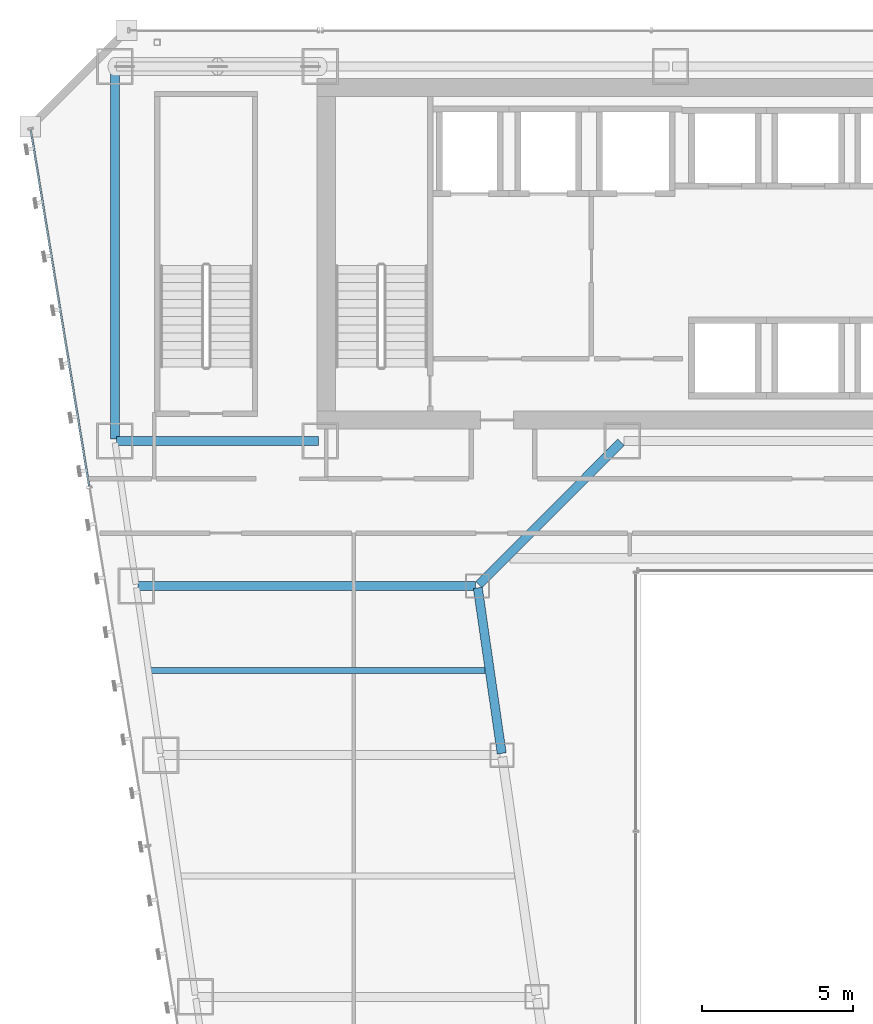
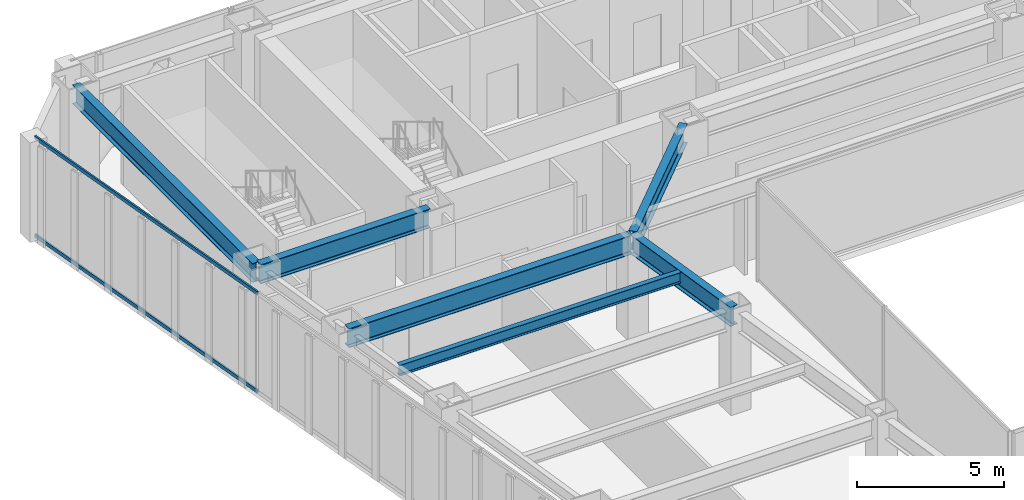
# One storey, part 23 of 47: 6 beams, 2 members, 1 element without a shape of its own.
"""IFC4 building model written with IfcOpenShell, lengths in metres."""

from ifc_helpers import new_model, si_unit, direction, frame, origin, origin_2d, place, context, subcontext, project, spatial, hollow_rectangle, i_section, extrude, material, material_profile, profile_set, type_object, element, aggregate, save


model = new_model("IFC4")

# Units and contexts
model_context = context("Model", 3, precision=1e-05, world=origin(), true_north=direction((0.0, 1.0)))
body_context = subcontext(model_context, "Body", "Model", "MODEL_VIEW")
ifc_project = project(units=[si_unit("LENGTHUNIT", "METRE"), si_unit("AREAUNIT", "SQUARE_METRE"), si_unit("VOLUMEUNIT", "CUBIC_METRE"), si_unit("PLANEANGLEUNIT", "RADIAN"), si_unit("MASSUNIT", "GRAM", prefix="KILO")], contexts=[model_context])

# Site, building, storey
site_placement = place(None, origin())
site = spatial("IfcSite", under=ifc_project, at=site_placement, CompositionType="ELEMENT")
building_placement = place(site_placement, origin())
building = spatial("IfcBuilding", under=site, at=building_placement, Name="Saevonmaru Cultural Tower", CompositionType="ELEMENT")
storey_placement = place(building_placement, frame((0.0, 0.0, 56.0)))
storey = spatial("IfcBuildingStorey", under=building, at=storey_placement, Name="L11", CompositionType="ELEMENT", Elevation=56.0)

# Beams
ifc_material_1 = material(Name="Steel SM420", Category="steel")
ifc_material_profile_1 = material_profile(ifc_material_1, i_section(OverallWidth=0.300048828125, OverallDepth=0.800048828125, WebThickness=0.013916015625, FlangeThickness=0.02587890625, FilletRadius=0.028076171875, at=origin_2d()), Name="H-800x300x14x26")
ifc_profile_set_1 = profile_set([ifc_material_profile_1], Name="Steel SM420")
beam_type_1 = type_object("IfcBeamType", Name="BM-G-H800", PredefinedType="BEAM", material=ifc_profile_set_1)
beam_1_placement = place(storey_placement, frame((6.860107421875, 42.39990234375, 3.75), z_axis=(1.0, 0.0, 0.0), x_axis=(0.0, 1.0, 0.0)))
element("IfcBeam", 1, at=beam_1_placement, inside=storey, type_object=beam_type_1, Name="L11 Core South Girder 1", PredefinedType="BEAM", context=body_context, shape_type="SweptSolid", body=[
    extrude(i_section(OverallWidth=0.300048828125, OverallDepth=0.800048828125, WebThickness=0.013916015625, FlangeThickness=0.02587890625, FilletRadius=0.028076171875, at=origin_2d()), origin(), (0.0, 0.0, 1.0), 6.679931640625),
])
beam_2_placement = place(storey_placement, frame((6.800048828125, 54.739990234375, 3.75), z_axis=(0.0, -1.0, 0.0), x_axis=(1.0, 0.0, 0.0)))
element("IfcBeam", 2, at=beam_2_placement, inside=storey, type_object=beam_type_1, Name="L11 Spine Transverse Girder W", PredefinedType="BEAM", context=body_context, shape_type="SweptSolid", body=[
    extrude(i_section(OverallWidth=0.300048828125, OverallDepth=0.800048828125, WebThickness=0.013916015625, FlangeThickness=0.02587890625, FilletRadius=0.028076171875, at=origin_2d()), origin(), (0.0, 0.0, 1.0), 12.280029296875),
])
beam_3_placement = place(storey_placement, frame((19.6083984375, 32.059326171875, 3.75), z_axis=(-0.142964121327, 0.989727871697, 0.0), x_axis=(-0.989727871697, -0.142964121327, 0.0)))
element("IfcBeam", 3, at=beam_3_placement, inside=storey, type_object=beam_type_1, Name="L11 West Atrium Girder 5", PredefinedType="BEAM", context=body_context, shape_type="SweptSolid", body=[
    extrude(i_section(OverallWidth=0.300048828125, OverallDepth=0.800048828125, WebThickness=0.013916015625, FlangeThickness=0.02587890625, FilletRadius=0.028076171875, at=origin_2d()), origin(), (0.0, 0.0, 1.0), 5.5380859375),
])
beam_4_placement = place(storey_placement, frame((18.850341796875, 37.642578125, 3.75), z_axis=(0.706538566564, 0.707674539572, 0.0), x_axis=(-0.707674539572, 0.706538566564, 0.0)))
element("IfcBeam", 4, at=beam_4_placement, inside=storey, type_object=beam_type_1, Name="L11 West Atrium Girder 6", PredefinedType="BEAM", context=body_context, shape_type="SweptSolid", body=[
    extrude(i_section(OverallWidth=0.300048828125, OverallDepth=0.800048828125, WebThickness=0.013916015625, FlangeThickness=0.02587890625, FilletRadius=0.028076171875, at=origin_2d()), origin(), (0.0, 0.0, 1.0), 6.662353515625),
])
beam_5_placement = place(storey_placement, frame((7.568115234375, 37.60009765625, 3.75), z_axis=(1.0, 0.0, 0.0), x_axis=(0.0, 1.0, 0.0)))
element("IfcBeam", 5, at=beam_5_placement, inside=storey, type_object=beam_type_1, Name="L11 West Wing Transverse Girder 6", PredefinedType="BEAM", context=body_context, shape_type="SweptSolid", body=[
    extrude(i_section(OverallWidth=0.300048828125, OverallDepth=0.800048828125, WebThickness=0.013916015625, FlangeThickness=0.02587890625, FilletRadius=0.028076171875, at=origin_2d()), origin(), (0.0, 0.0, 1.0), 11.179931640625),
])
ifc_material_2 = material(Name="Steel SM355", Category="steel")
ifc_material_profile_2 = material_profile(ifc_material_2, i_section(OverallWidth=0.199951171875, OverallDepth=0.449951171875, WebThickness=0.009033203125, FlangeThickness=0.013916015625, FilletRadius=0.01806640625, at=origin_2d()), Name="H-450x200x9x14")
ifc_profile_set_2 = profile_set([ifc_material_profile_2], Name="Steel SM355")
beam_type_2 = type_object("IfcBeamType", Name="BM-J-H450", PredefinedType="JOIST", material=ifc_profile_set_2)
beam_6_placement = place(storey_placement, frame((7.972412109375, 34.800048828125, 3.925048828125), z_axis=(1.0, 0.0, 0.0), x_axis=(0.0, 1.0, 0.0)))
element("IfcBeam", 6, at=beam_6_placement, inside=storey, type_object=beam_type_2, Name="L11 West Wing Floor Joist 5", PredefinedType="JOIST", context=body_context, shape_type="SweptSolid", body=[
    extrude(i_section(OverallWidth=0.199951171875, OverallDepth=0.449951171875, WebThickness=0.009033203125, FlangeThickness=0.013916015625, FilletRadius=0.01806640625, at=origin_2d()), origin(), (0.0, 0.0, 1.0), 11.08203125),
])

# Curtain wall, members
ifc_material_3 = material(Name="Satin Bronze Anodised Aluminium", Category="aluminium")
curtain_wall_type = type_object("IfcCurtainWallType", Name="CW-TYP-A", PredefinedType="NOTDEFINED", material=ifc_material_3)
curtain_wall_placement = place(storey_placement, origin())
curtain_wall = element("IfcCurtainWall", 7, at=curtain_wall_placement, inside=storey, type_object=curtain_wall_type, Name="L11 Unitised Curtain Wall E12", PredefinedType="NOTDEFINED")
ifc_material_profile_3 = material_profile(ifc_material_3, hollow_rectangle(XDim=0.06494140625, YDim=0.14990234375, WallThickness=0.00390625, at=origin_2d()), Name="ALU-TRAN-150x65x4")
ifc_profile_set_3 = profile_set([ifc_material_profile_3], Name="Satin Bronze Anodised Aluminium")
member_type = type_object("IfcMemberType", Name="TR-CW-150x65", PredefinedType="USERDEFINED", material=ifc_profile_set_3)
member_1_placement = place(storey_placement, frame((4.014892578125, 52.708740234375, 0.032470703125), z_axis=(0.161724530373, -0.986835941925, 0.0), x_axis=(0.986835941925, 0.161724530373, 0.0)))
member_1 = element("IfcMember", 8, at=member_1_placement, type_object=member_type, Name="CW-TW-L11-E12 transom 1.1", ObjectType="TRANSOM", PredefinedType="USERDEFINED", context=body_context, shape_type="SweptSolid", body=[
    extrude(hollow_rectangle(XDim=0.06494140625, YDim=0.14990234375, WallThickness=0.00390625, at=origin_2d()), origin(), (0.0, 0.0, 1.0), 11.963623046875),
])
member_2_placement = place(storey_placement, frame((4.014892578125, 52.708740234375, 4.117431640625), z_axis=(0.161724530373, -0.986835941925, 0.0), x_axis=(0.986835941925, 0.161724530373, 0.0)))
member_2 = element("IfcMember", 9, at=member_2_placement, type_object=member_type, Name="CW-TW-L11-E12 transom 1.2", ObjectType="TRANSOM", PredefinedType="USERDEFINED", context=body_context, shape_type="SweptSolid", body=[
    extrude(hollow_rectangle(XDim=0.06494140625, YDim=0.14990234375, WallThickness=0.00390625, at=origin_2d()), origin(), (0.0, 0.0, 1.0), 11.963623046875),
])
aggregate(curtain_wall, [member_1, member_2])

save(model, "model.ifc")
